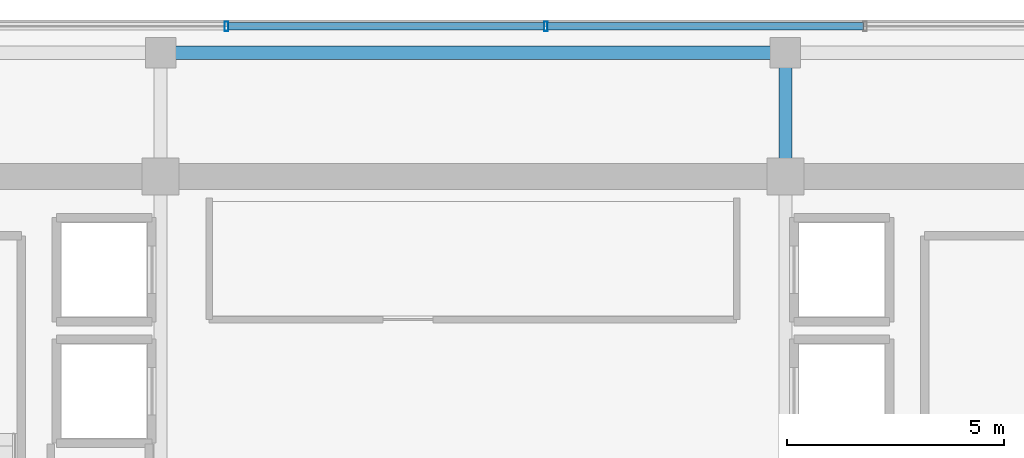
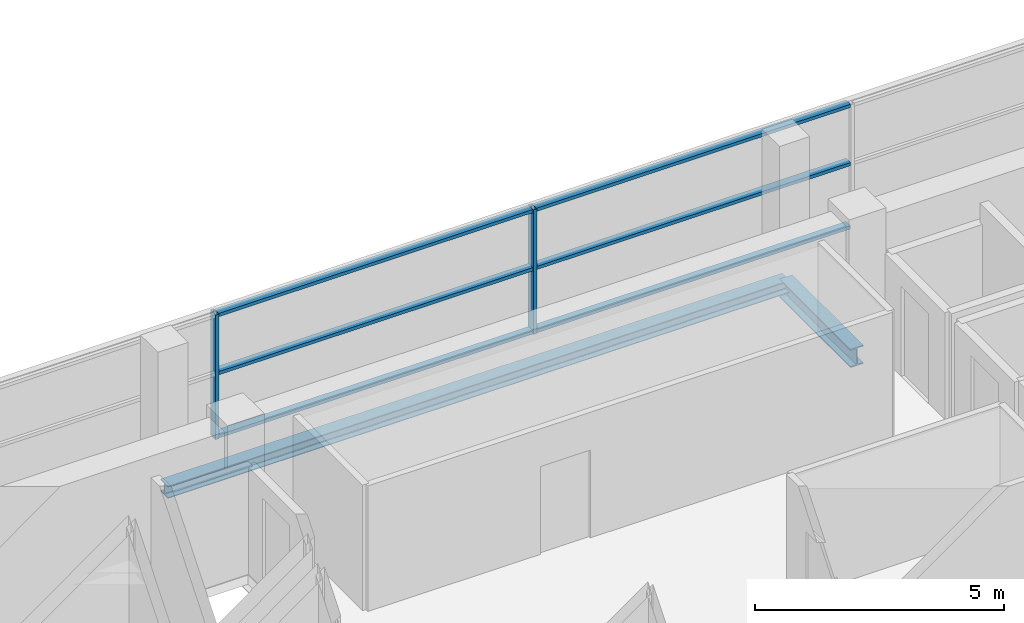
# One storey, part 13 of 23: 8 members, 2 beams, 1 element without a shape of its own.
"""IFC4 building model written with IfcOpenShell, lengths in metres."""

from ifc_helpers import new_model, si_unit, direction, frame, origin, origin_2d, place, context, subcontext, project, spatial, hollow_rectangle, i_section, extrude, source, transform, mapped, material, layer, layer_set, material_profile, profile_set, type_object, element, aggregate, save


model = new_model("IFC4")

# Units and contexts
model_context = context("Model", 3, precision=1e-05, world=origin(), true_north=direction((0.0, 1.0)))
body_context = subcontext(model_context, "Body", "Model", "MODEL_VIEW")
ifc_project = project(units=[si_unit("LENGTHUNIT", "METRE"), si_unit("AREAUNIT", "SQUARE_METRE"), si_unit("VOLUMEUNIT", "CUBIC_METRE"), si_unit("PLANEANGLEUNIT", "RADIAN"), si_unit("MASSUNIT", "GRAM", prefix="KILO")], contexts=[model_context])

# Site, building, storey
site_placement = place(None, origin())
site = spatial("IfcSite", under=ifc_project, at=site_placement, CompositionType="ELEMENT")
building_placement = place(site_placement, origin())
building = spatial("IfcBuilding", under=site, at=building_placement, Name="Zarnakvel Exchange Tower", CompositionType="ELEMENT")
storey_placement = place(building_placement, frame((0.0, 0.0, 212.199951171875)))
storey = spatial("IfcBuildingStorey", under=building, at=storey_placement, Name="L59", CompositionType="ELEMENT", Elevation=212.199951171875)

# Beams
ifc_material_1 = material(Name="Steel S355", Category="steel")
ifc_material_profile_1 = material_profile(ifc_material_1, i_section(OverallWidth=0.300048828125, OverallDepth=0.449951171875, WebThickness=0.013916015625, FlangeThickness=0.02587890625, FilletRadius=0.027099609375, at=origin_2d()))
ifc_profile_set_1 = profile_set([ifc_material_profile_1], Name="Steel S355")
beam_type_1 = type_object("IfcBeamType", Name="G-07", PredefinedType="BEAM", material=ifc_profile_set_1)
beam_1_placement = place(storey_placement, frame((7.199951171875, 13.5, -0.449951171875), z_axis=(0.0, 1.0, 0.0), x_axis=(-1.0, 0.0, 0.0)))
element("IfcBeam", 1, at=beam_1_placement, inside=storey, type_object=beam_type_1, Name="L59 Tower N-S Frame Beam", PredefinedType="BEAM", context=body_context, shape_type="SweptSolid", body=[
    extrude(i_section(OverallWidth=0.300048828125, OverallDepth=0.449951171875, WebThickness=0.013916015625, FlangeThickness=0.02587890625, FilletRadius=0.027099609375, at=origin_2d()), origin(), (0.0, 0.0, 1.0), 2.85009765625),
])
ifc_material_profile_2 = material_profile(ifc_material_1, i_section(OverallWidth=0.300048828125, OverallDepth=0.300048828125, WebThickness=0.010986328125, FlangeThickness=0.01904296875, FilletRadius=0.027099609375, at=origin_2d()))
ifc_profile_set_2 = profile_set([ifc_material_profile_2], Name="Steel S355")
beam_type_2 = type_object("IfcBeamType", Name="SP-03", PredefinedType="SPANDREL", material=ifc_profile_set_2)
beam_2_placement = place(storey_placement, frame((-7.199951171875, 16.35009765625, -0.375), z_axis=(1.0, 0.0, 0.0), x_axis=(0.0, 1.0, 0.0)))
element("IfcBeam", 2, at=beam_2_placement, inside=storey, type_object=beam_type_2, Name="L59 Tower E-W Frame Beam", PredefinedType="SPANDREL", context=body_context, shape_type="SweptSolid", body=[
    extrude(i_section(OverallWidth=0.300048828125, OverallDepth=0.300048828125, WebThickness=0.010986328125, FlangeThickness=0.01904296875, FilletRadius=0.027099609375, at=origin_2d()), origin(), (0.0, 0.0, 1.0), 14.39990234375),
])

# Curtain wall, members
ifc_material_2 = material(Name="Architectural Bronze Anodised Aluminium", Category="aluminium")
ifc_layer = layer(ifc_material_2, 0.219970703125)
ifc_layer_set = layer_set([ifc_layer], Name="Architectural Bronze Anodised Aluminium")
curtain_wall_type = type_object("IfcCurtainWallType", Name="CW-03", PredefinedType="NOTDEFINED", material=ifc_layer_set)
curtain_wall_placement = place(storey_placement, origin())
curtain_wall = element("IfcCurtainWall", 3, at=curtain_wall_placement, inside=storey, type_object=curtain_wall_type, Name="L59 Curtain Wall CW-L59-N1 (CW-03)", PredefinedType="NOTDEFINED")
ifc_material_profile_3 = material_profile(ifc_material_2, hollow_rectangle(XDim=0.219970703125, YDim=0.080078125, WallThickness=0.0048828125, at=origin_2d()))
ifc_profile_set_3 = profile_set([ifc_material_profile_3], Name="Architectural Bronze Anodised Aluminium")
member_type_1 = type_object("IfcMemberType", Name="CWM-03", PredefinedType="MULLION", material=ifc_profile_set_3)
shared_shape_1 = source(origin(), body_context, "Body", "SweptSolid", [
    extrude(hollow_rectangle(XDim=0.219970703125, YDim=0.080078125, WallThickness=0.0048828125, at=origin_2d()), origin(), (0.0, 0.0, 1.0), 3.054931640625),
])
member_1_placement = place(storey_placement, frame((-5.679931640625, 16.9599609375, 0.0), z_axis=(0.0, 0.0, 1.0), x_axis=(0.0, 1.0, 0.0)))
member_1 = element("IfcMember", 4, at=member_1_placement, type_object=member_type_1, Name="CW-03 mullion 3", PredefinedType="MULLION", context=body_context, shape_type="MappedRepresentation", body=[
    mapped(shared_shape_1, transform((0.0, 0.0, 0.0), x_axis=(1.0, 0.0, 0.0), y_axis=(0.0, 1.0, 0.0), z_axis=(0.0, 0.0, 1.0), scale=1.0)),
])
member_2_placement = place(storey_placement, frame((1.679931640625, 16.9599609375, 0.0), z_axis=(0.0, 0.0, 1.0), x_axis=(0.0, 1.0, 0.0)))
member_2 = element("IfcMember", 5, at=member_2_placement, type_object=member_type_1, Name="CW-03 mullion 4", PredefinedType="MULLION", context=body_context, shape_type="MappedRepresentation", body=[
    mapped(shared_shape_1, transform((0.0, 0.0, 0.0), x_axis=(1.0, 0.0, 0.0), y_axis=(0.0, 1.0, 0.0), z_axis=(0.0, 0.0, 1.0), scale=1.0)),
])
ifc_material_profile_4 = material_profile(ifc_material_2, hollow_rectangle(XDim=0.179931640625, YDim=0.080078125, WallThickness=0.00390625, at=origin_2d()))
ifc_profile_set_4 = profile_set([ifc_material_profile_4], Name="Architectural Bronze Anodised Aluminium")
member_type_2 = type_object("IfcMemberType", Name="CWT-03", PredefinedType="USERDEFINED", material=ifc_profile_set_4)
shared_shape_2 = source(origin(), body_context, "Body", "SweptSolid", [
    extrude(hollow_rectangle(XDim=0.179931640625, YDim=0.080078125, WallThickness=0.00390625, at=origin_2d()), origin(), (0.0, 0.0, 1.0), 7.280029296875),
])
member_3_placement = place(storey_placement, frame((1.719970703125, 16.9599609375, 0.0400390625), z_axis=(1.0, 0.0, 0.0), x_axis=(0.0, 1.0, 0.0)))
member_3 = element("IfcMember", 6, at=member_3_placement, type_object=member_type_2, Name="CW-03 transom 4.1", ObjectType="TRANSOM", PredefinedType="USERDEFINED", context=body_context, shape_type="MappedRepresentation", body=[
    mapped(shared_shape_2, transform((0.0, 0.0, 0.0), x_axis=(1.0, 0.0, 0.0), y_axis=(0.0, 1.0, 0.0), z_axis=(0.0, 0.0, 1.0), scale=1.0)),
])
member_4_placement = place(storey_placement, frame((1.719970703125, 16.9599609375, 1.588623046875), z_axis=(1.0, 0.0, 0.0), x_axis=(0.0, 1.0, 0.0)))
member_4 = element("IfcMember", 7, at=member_4_placement, type_object=member_type_2, Name="CW-03 transom 4.2", ObjectType="TRANSOM", PredefinedType="USERDEFINED", context=body_context, shape_type="MappedRepresentation", body=[
    mapped(shared_shape_2, transform((0.0, 0.0, 0.0), x_axis=(1.0, 0.0, 0.0), y_axis=(0.0, 1.0, 0.0), z_axis=(0.0, 0.0, 1.0), scale=1.0)),
])
member_5_placement = place(storey_placement, frame((1.719970703125, 16.9599609375, 3.01513671875), z_axis=(1.0, 0.0, 0.0), x_axis=(0.0, 1.0, 0.0)))
member_5 = element("IfcMember", 8, at=member_5_placement, type_object=member_type_2, Name="CW-03 transom 4.3", ObjectType="TRANSOM", PredefinedType="USERDEFINED", context=body_context, shape_type="MappedRepresentation", body=[
    mapped(shared_shape_2, transform((0.0, 0.0, 0.0), x_axis=(1.0, 0.0, 0.0), y_axis=(0.0, 1.0, 0.0), z_axis=(0.0, 0.0, 1.0), scale=1.0)),
])
shared_shape_3 = source(origin(), body_context, "Body", "SweptSolid", [
    extrude(hollow_rectangle(XDim=0.179931640625, YDim=0.080078125, WallThickness=0.00390625, at=origin_2d()), origin(), (0.0, 0.0, 1.0), 7.27978515625),
])
member_6_placement = place(storey_placement, frame((-5.639892578125, 16.9599609375, 0.0400390625), z_axis=(1.0, 0.0, 0.0), x_axis=(0.0, 1.0, 0.0)))
member_6 = element("IfcMember", 9, at=member_6_placement, type_object=member_type_2, Name="CW-03 transom 3.1", ObjectType="TRANSOM", PredefinedType="USERDEFINED", context=body_context, shape_type="MappedRepresentation", body=[
    mapped(shared_shape_3, transform((0.0, 0.0, 0.0), x_axis=(1.0, 0.0, 0.0), y_axis=(0.0, 1.0, 0.0), z_axis=(0.0, 0.0, 1.0), scale=1.0)),
])
member_7_placement = place(storey_placement, frame((-5.639892578125, 16.9599609375, 1.588623046875), z_axis=(1.0, 0.0, 0.0), x_axis=(0.0, 1.0, 0.0)))
member_7 = element("IfcMember", 10, at=member_7_placement, type_object=member_type_2, Name="CW-03 transom 3.2", ObjectType="TRANSOM", PredefinedType="USERDEFINED", context=body_context, shape_type="MappedRepresentation", body=[
    mapped(shared_shape_3, transform((0.0, 0.0, 0.0), x_axis=(1.0, 0.0, 0.0), y_axis=(0.0, 1.0, 0.0), z_axis=(0.0, 0.0, 1.0), scale=1.0)),
])
member_8_placement = place(storey_placement, frame((-5.639892578125, 16.9599609375, 3.01513671875), z_axis=(1.0, 0.0, 0.0), x_axis=(0.0, 1.0, 0.0)))
member_8 = element("IfcMember", 11, at=member_8_placement, type_object=member_type_2, Name="CW-03 transom 3.3", ObjectType="TRANSOM", PredefinedType="USERDEFINED", context=body_context, shape_type="MappedRepresentation", body=[
    mapped(shared_shape_3, transform((0.0, 0.0, 0.0), x_axis=(1.0, 0.0, 0.0), y_axis=(0.0, 1.0, 0.0), z_axis=(0.0, 0.0, 1.0), scale=1.0)),
])
aggregate(curtain_wall, [member_1, member_2, member_6, member_7, member_8, member_3, member_4, member_5])

save(model, "model.ifc")
